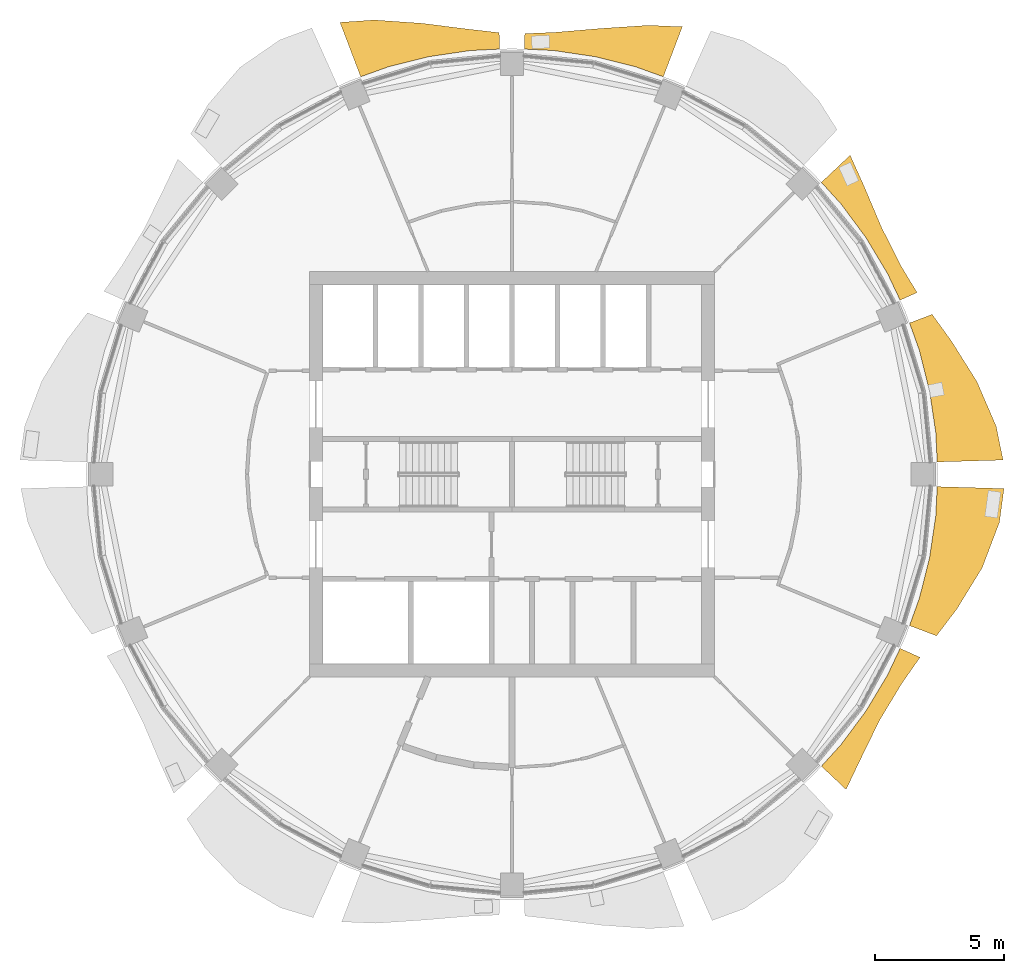
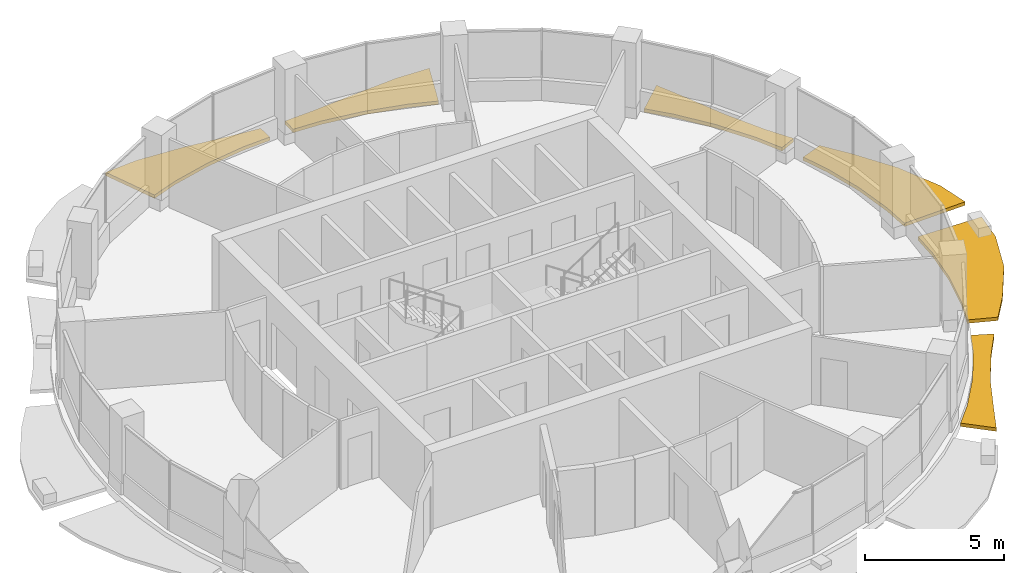
# One storey, part 14 of 15: 6 shading devices.
"""IFC4 building model written with IfcOpenShell, lengths in metres."""

from ifc_helpers import new_model, si_unit, direction, frame, origin, place, context, subcontext, project, spatial, polyline, outline, extrude, material, type_object, element, save


model = new_model("IFC4")

# Units and contexts
model_context = context("Model", 3, precision=1e-05, world=origin(), true_north=direction((0.0, 1.0)))
body_context = subcontext(model_context, "Body", "Model", "MODEL_VIEW")
ifc_project = project(units=[si_unit("LENGTHUNIT", "METRE"), si_unit("AREAUNIT", "SQUARE_METRE"), si_unit("VOLUMEUNIT", "CUBIC_METRE"), si_unit("PLANEANGLEUNIT", "RADIAN"), si_unit("MASSUNIT", "GRAM", prefix="KILO")], contexts=[model_context])

# Site, building, storey
site_placement = place(None, origin())
site = spatial("IfcSite", under=ifc_project, at=site_placement, CompositionType="ELEMENT")
building_placement = place(site_placement, origin())
building = spatial("IfcBuilding", under=site, at=building_placement, Name="Polderwave Tower", CompositionType="ELEMENT")
storey_placement = place(building_placement, frame((0.0, 0.0, 207.75)))
storey = spatial("IfcBuildingStorey", under=building, at=storey_placement, Name="L56", CompositionType="ELEMENT", Elevation=207.75)

# Shading devices
ifc_material = material(Name="Terracotta", Category="masonry")
shading_device_type = type_object("IfcShadingDeviceType", Name="Terracotta sunshade band", PredefinedType="USERDEFINED", material=ifc_material)
shading_device_1_placement = place(storey_placement, frame((0.0, 0.0, -0.35009765625)))
element("IfcShadingDevice", 1, at=shading_device_1_placement, inside=storey, type_object=shading_device_type, Name="Sunshade band L56 1", ObjectType="SUNSHADE", PredefinedType="USERDEFINED", context=body_context, shape_type="SweptSolid", body=[
    extrude(outline(polyline([(16.5263671875, 0.479736328125), (16.47021484375, 1.622314453125), (16.23193359375, 3.228759765625), (15.83740234375, 4.80419921875), (15.451904296875, 5.881103515625), (16.329833984375, 6.215087890625), (17.079345703125, 5.180908203125), (18.07421875, 3.59521484375), (18.823974609375, 1.85400390625), (19.085205078125, 0.55419921875), (16.5263671875, 0.479736328125)])), origin(), (0.0, 0.0, 1.0), 0.150146484375),
])
shading_device_2_placement = place(storey_placement, frame((0.0, 0.0, -0.35009765625)))
element("IfcShadingDevice", 2, at=shading_device_2_placement, inside=storey, type_object=shading_device_type, Name="Sunshade band L56 2", ObjectType="SUNSHADE", PredefinedType="USERDEFINED", context=body_context, shape_type="SweptSolid", body=[
    extrude(outline(polyline([(15.084716796875, 6.767578125), (14.595703125, 7.801513671875), (13.7607421875, 9.194580078125), (12.793212890625, 10.499267578125), (12.025146484375, 11.3466796875), (13.142822265625, 12.401123046875), (13.67431640625, 11.22216796875), (14.36279296875, 9.596923828125), (15.128173828125, 8.086181640625), (15.744140625, 7.0634765625), (15.084716796875, 6.767578125)])), origin(), (0.0, 0.0, 1.0), 0.150146484375),
])
shading_device_3_placement = place(storey_placement, frame((0.0, 0.0, -0.35009765625)))
element("IfcShadingDevice", 3, at=shading_device_3_placement, inside=storey, type_object=shading_device_type, Name="Sunshade band L56 4", ObjectType="SUNSHADE", PredefinedType="USERDEFINED", context=body_context, shape_type="SweptSolid", body=[
    extrude(outline(polyline([(5.881103515625, 15.451904296875), (4.80419921875, 15.83740234375), (3.228759765625, 16.23193359375), (1.622314453125, 16.47021484375), (0.479736328125, 16.5263671875), (0.497314453125, 17.128173828125), (1.69189453125, 17.17919921875), (3.44677734375, 17.328125), (5.29345703125, 17.450439453125), (6.62109375, 17.39599609375), (5.881103515625, 15.451904296875)])), origin(), (0.0, 0.0, 1.0), 0.150146484375),
])
shading_device_4_placement = place(storey_placement, frame((0.0, 0.0, -0.35009765625)))
element("IfcShadingDevice", 4, at=shading_device_4_placement, inside=storey, type_object=shading_device_type, Name="Sunshade band L56 5", ObjectType="SUNSHADE", PredefinedType="USERDEFINED", context=body_context, shape_type="SweptSolid", body=[
    extrude(outline(polyline([(-0.479736328125, 16.5263671875), (-1.622314453125, 16.47021484375), (-3.228759765625, 16.23193359375), (-4.80419921875, 15.83740234375), (-5.881103515625, 15.451904296875), (-6.685302734375, 17.56494140625), (-5.3564453125, 17.65771484375), (-3.486572265625, 17.5283203125), (-1.7041015625, 17.30126953125), (-0.498291015625, 17.16650390625), (-0.479736328125, 16.5263671875)])), origin(), (0.0, 0.0, 1.0), 0.150146484375),
])
shading_device_5_placement = place(storey_placement, frame((0.0, 0.0, -0.35009765625)))
element("IfcShadingDevice", 5, at=shading_device_5_placement, inside=storey, type_object=shading_device_type, Name="Sunshade band L56 15", ObjectType="SUNSHADE", PredefinedType="USERDEFINED", context=body_context, shape_type="SweptSolid", body=[
    extrude(outline(polyline([(12.025146484375, -11.3466796875), (12.793212890625, -10.499267578125), (13.7607421875, -9.194580078125), (14.595703125, -7.801513671875), (15.084716796875, -6.767578125), (15.85986328125, -7.115478515625), (15.166259765625, -8.1064453125), (14.29248046875, -9.550048828125), (13.5322265625, -11.105712890625), (12.984619140625, -12.251953125), (12.025146484375, -11.3466796875)])), origin(), (0.0, 0.0, 1.0), 0.150146484375),
])
shading_device_6_placement = place(storey_placement, frame((0.0, 0.0, -0.35009765625)))
element("IfcShadingDevice", 6, at=shading_device_6_placement, inside=storey, type_object=shading_device_type, Name="Sunshade band L56 16", ObjectType="SUNSHADE", PredefinedType="USERDEFINED", context=body_context, shape_type="SweptSolid", body=[
    extrude(outline(polyline([(15.451904296875, -5.881103515625), (15.83740234375, -4.80419921875), (16.23193359375, -3.228759765625), (16.47021484375, -1.622314453125), (16.5263671875, -0.479736328125), (19.123291015625, -0.55517578125), (18.946044921875, -1.865966796875), (18.2744140625, -3.635009765625), (17.28662109375, -5.243896484375), (16.498779296875, -6.279541015625), (15.451904296875, -5.881103515625)])), origin(), (0.0, 0.0, 1.0), 0.150146484375),
])

save(model, "model.ifc")
